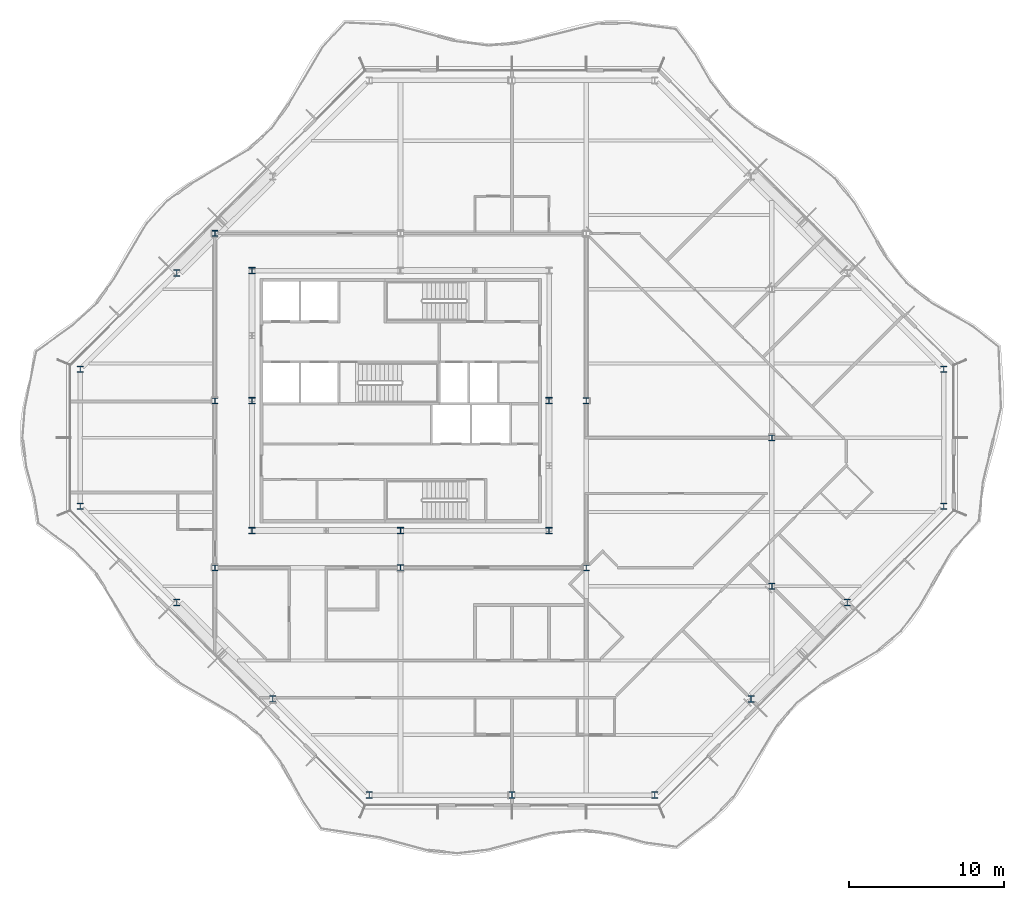
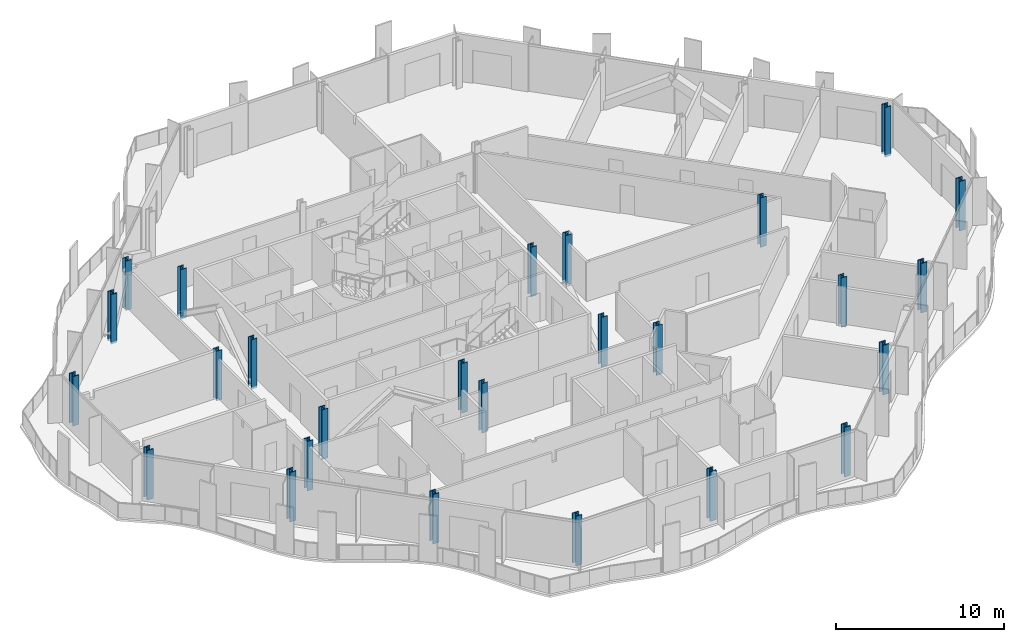
# One storey, part 1 of 17: 26 columns.
"""IFC4 building model written with IfcOpenShell, lengths in metres."""

from ifc_helpers import new_model, si_unit, direction, frame, origin, origin_2d, place, context, subcontext, project, spatial, i_section, extrude, material, material_profile, profile_set, type_object, element, save


model = new_model("IFC4")

# Units and contexts
model_context = context("Model", 3, precision=1e-05, world=origin(), true_north=direction((0.0, 1.0)))
body_context = subcontext(model_context, "Body", "Model", "MODEL_VIEW")
ifc_project = project(units=[si_unit("LENGTHUNIT", "METRE"), si_unit("AREAUNIT", "SQUARE_METRE"), si_unit("VOLUMEUNIT", "CUBIC_METRE"), si_unit("PLANEANGLEUNIT", "RADIAN"), si_unit("MASSUNIT", "GRAM", prefix="KILO")], contexts=[model_context])

# Site, building, storey
site_placement = place(None, origin())
site = spatial("IfcSite", under=ifc_project, at=site_placement, CompositionType="ELEMENT")
building_placement = place(site_placement, origin())
building = spatial("IfcBuilding", under=site, at=building_placement, Name="Cairn Pilgrim Tower", CompositionType="ELEMENT")
storey_placement = place(building_placement, frame((0.0, 0.0, 217.800048828125)))
storey = spatial("IfcBuildingStorey", under=building, at=storey_placement, Name="L55", CompositionType="ELEMENT", Elevation=217.800048828125)

# Columns
ifc_material_1 = material(Name="Structural steel S355J2", Category="steel")
ifc_material_profile_1 = material_profile(ifc_material_1, i_section(OverallWidth=0.39892578125, OverallDepth=0.39306640625, WebThickness=0.022705078125, FlangeThickness=0.03662109375, FilletRadius=0.014892578125, at=origin_2d()), Name="HD 400x287")
ifc_profile_set_1 = profile_set([ifc_material_profile_1], Name="Structural steel S355J2")
column_type_1 = type_object("IfcColumnType", Name="HD 400x287", PredefinedType="COLUMN", material=ifc_profile_set_1)
for number, where, z_axis, x_axis, name in (
    (1, (-4.800048828125, -8.39990234375, -0.150146484375), (0.0, 0.0, 1.0), (1.0, 0.0, 0.0), "IC-1"),
    (2, (7.199951171875, -8.39990234375, -0.150146484375), (0.0, 0.0, 1.0), (1.0, 0.0, 0.0), "IC-2"),
    (3, (19.199951171875, -8.39990234375, -0.150146484375), (0.0, 0.0, 1.0), (1.0, 0.0, 0.0), "IC-3"),
    (4, (-4.800048828125, 2.39990234375, -0.150146484375), (0.0, 0.0, 1.0), (1.0, 0.0, 0.0), "IC-4"),
    (5, (19.199951171875, 2.39990234375, -0.150146484375), (0.0, 0.0, 1.0), (1.0, 0.0, 0.0), "IC-5"),
    (6, (-4.800048828125, 13.199951171875, -0.150146484375), (0.0, 0.0, 1.0), (1.0, 0.0, 0.0), "IC-6"),
    (7, (31.199951171875, -9.60009765625, -0.150146484375), (0.0, 0.0, 1.0), (1.0, 0.0, 0.0), "WC-WE-2"),
    (8, (31.199951171875, 0.0, -0.150146484375), (0.0, 0.0, 1.0), (1.0, 0.0, 0.0), "WC-WE+0"),
):
    element("IfcColumn", number, at=place(storey_placement, frame(where, z_axis=z_axis, x_axis=x_axis)), inside=storey, type_object=column_type_1, Name=name, PredefinedType="COLUMN", context=body_context, shape_type="SweptSolid", body=[
        extrude(i_section(OverallWidth=0.39892578125, OverallDepth=0.39306640625, WebThickness=0.022705078125, FlangeThickness=0.03662109375, FilletRadius=0.014892578125, at=origin_2d()), origin(), (0.0, 0.0, 1.0), 3.60009765625),
    ])
ifc_material_2 = material(Name="Structural steel S460M", Category="steel")
ifc_material_profile_2 = material_profile(ifc_material_2, i_section(OverallWidth=0.404052734375, OverallDepth=0.406982421875, WebThickness=0.027099609375, FlangeThickness=0.043701171875, FilletRadius=0.014892578125, at=origin_2d()), Name="HD 400x347")
ifc_profile_set_2 = profile_set([ifc_material_profile_2], Name="Structural steel S460M")
column_type_2 = type_object("IfcColumnType", Name="HD 400x347", PredefinedType="COLUMN", material=ifc_profile_set_2)
for number, where, z_axis, x_axis, name in (
    (9, (-2.39990234375, -6.0, -0.150146484375), (0.0, 0.0, 1.0), (1.0, 0.0, 0.0), "KC-1"),
    (10, (7.199951171875, -6.0, -0.150146484375), (0.0, 0.0, 1.0), (1.0, 0.0, 0.0), "KC-2"),
    (11, (16.800048828125, -6.0, -0.150146484375), (0.0, 0.0, 1.0), (1.0, 0.0, 0.0), "KC-3"),
    (12, (-2.39990234375, 2.39990234375, -0.150146484375), (0.0, 0.0, 1.0), (1.0, 0.0, 0.0), "KC-4"),
    (13, (16.800048828125, 2.39990234375, -0.150146484375), (0.0, 0.0, 1.0), (1.0, 0.0, 0.0), "KC-5"),
    (14, (-2.39990234375, 10.800048828125, -0.150146484375), (0.0, 0.0, 1.0), (1.0, 0.0, 0.0), "KC-6"),
):
    element("IfcColumn", number, at=place(storey_placement, frame(where, z_axis=z_axis, x_axis=x_axis)), inside=storey, type_object=column_type_2, Name=name, PredefinedType="COLUMN", context=body_context, shape_type="SweptSolid", body=[
        extrude(i_section(OverallWidth=0.404052734375, OverallDepth=0.406982421875, WebThickness=0.027099609375, FlangeThickness=0.043701171875, FilletRadius=0.014892578125, at=origin_2d()), origin(), (0.0, 0.0, 1.0), 3.60009765625),
    ])
ifc_material_profile_3 = material_profile(ifc_material_2, i_section(OverallWidth=0.416015625, OverallDepth=0.446044921875, WebThickness=0.0390625, FlangeThickness=0.062744140625, FilletRadius=0.014892578125, at=origin_2d()), Name="HD 400x509")
ifc_profile_set_3 = profile_set([ifc_material_profile_3], Name="Structural steel S460M")
column_type_3 = type_object("IfcColumnType", Name="HD 400x509", PredefinedType="COLUMN", material=ifc_profile_set_3)
for number, where, z_axis, x_axis, name in (
    (15, (5.1728515625, -23.10009765625, -0.150146484375), (0.0, 0.0, 1.0), (1.0, 0.0, 0.0), "PC3-S1"),
    (16, (14.39990234375, -23.10009765625, -0.150146484375), (0.0, 0.0, 1.0), (1.0, 0.0, 0.0), "PC3-S2"),
    (17, (23.627197265625, -23.10009765625, -0.150146484375), (0.0, 0.0, 1.0), (1.0, 0.0, 0.0), "PC3-SE1"),
    (18, (29.8515625, -16.875732421875, -0.150146484375), (0.0, 0.0, 1.0), (1.0, 0.0, 0.0), "PC3-SE2"),
    (19, (36.07568359375, -10.651611328125, -0.150146484375), (0.0, 0.0, 1.0), (1.0, 0.0, 0.0), "PC3-SE3"),
    (20, (42.300048828125, -4.42724609375, -0.150146484375), (0.0, 0.0, 1.0), (1.0, 0.0, 0.0), "PC3-E1"),
    (21, (42.300048828125, 4.42724609375, -0.150146484375), (0.0, 0.0, 1.0), (1.0, 0.0, 0.0), "PC3-NE1"),
    (22, (-7.275634765625, 10.651611328125, -0.150146484375), (0.0, 0.0, 1.0), (1.0, 0.0, 0.0), "PC3-NW3"),
    (23, (-13.5, 4.42724609375, -0.150146484375), (0.0, 0.0, 1.0), (1.0, 0.0, 0.0), "PC3-W1"),
    (24, (-13.5, -4.42724609375, -0.150146484375), (0.0, 0.0, 1.0), (1.0, 0.0, 0.0), "PC3-SW1"),
    (25, (-7.275634765625, -10.651611328125, -0.150146484375), (0.0, 0.0, 1.0), (1.0, 0.0, 0.0), "PC3-SW2"),
    (26, (-1.051513671875, -16.875732421875, -0.150146484375), (0.0, 0.0, 1.0), (1.0, 0.0, 0.0), "PC3-SW3"),
):
    element("IfcColumn", number, at=place(storey_placement, frame(where, z_axis=z_axis, x_axis=x_axis)), inside=storey, type_object=column_type_3, Name=name, PredefinedType="COLUMN", context=body_context, shape_type="SweptSolid", body=[
        extrude(i_section(OverallWidth=0.416015625, OverallDepth=0.446044921875, WebThickness=0.0390625, FlangeThickness=0.062744140625, FilletRadius=0.014892578125, at=origin_2d()), origin(), (0.0, 0.0, 1.0), 3.60009765625),
    ])

save(model, "model.ifc")
